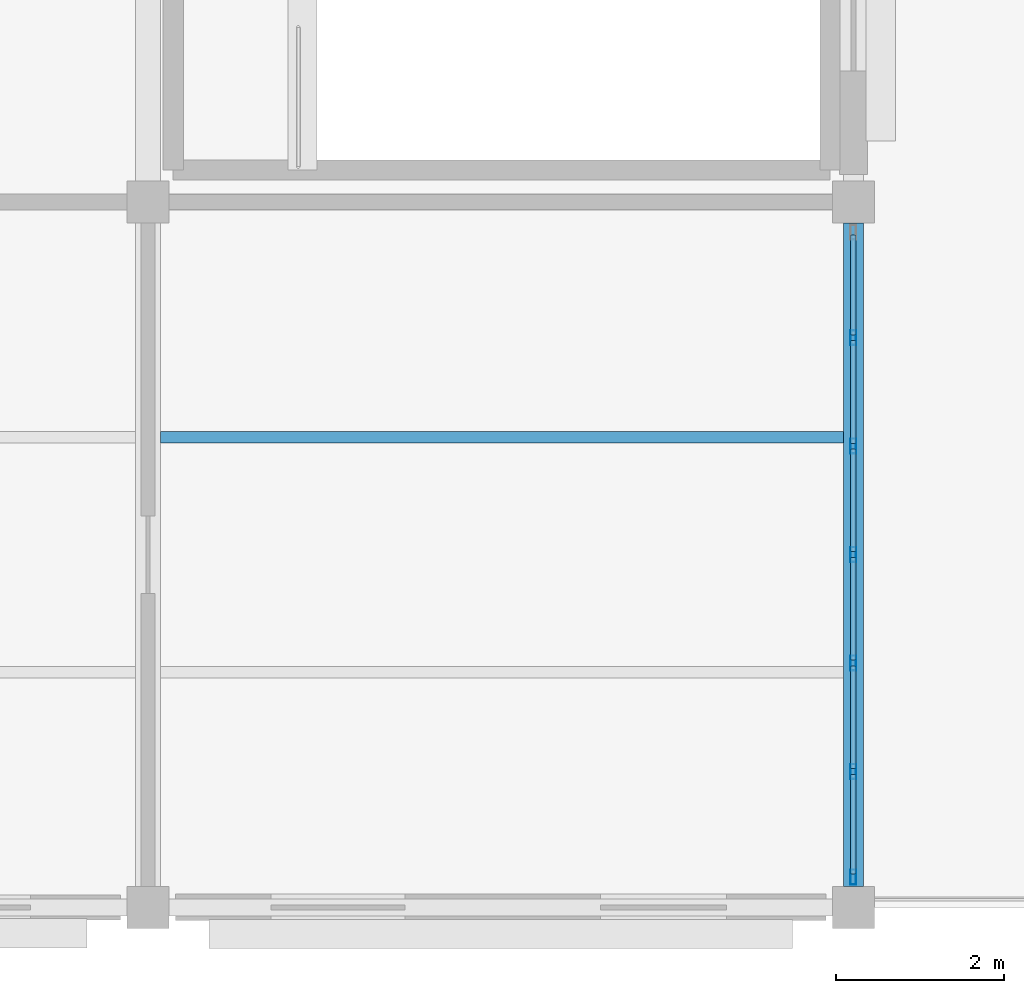
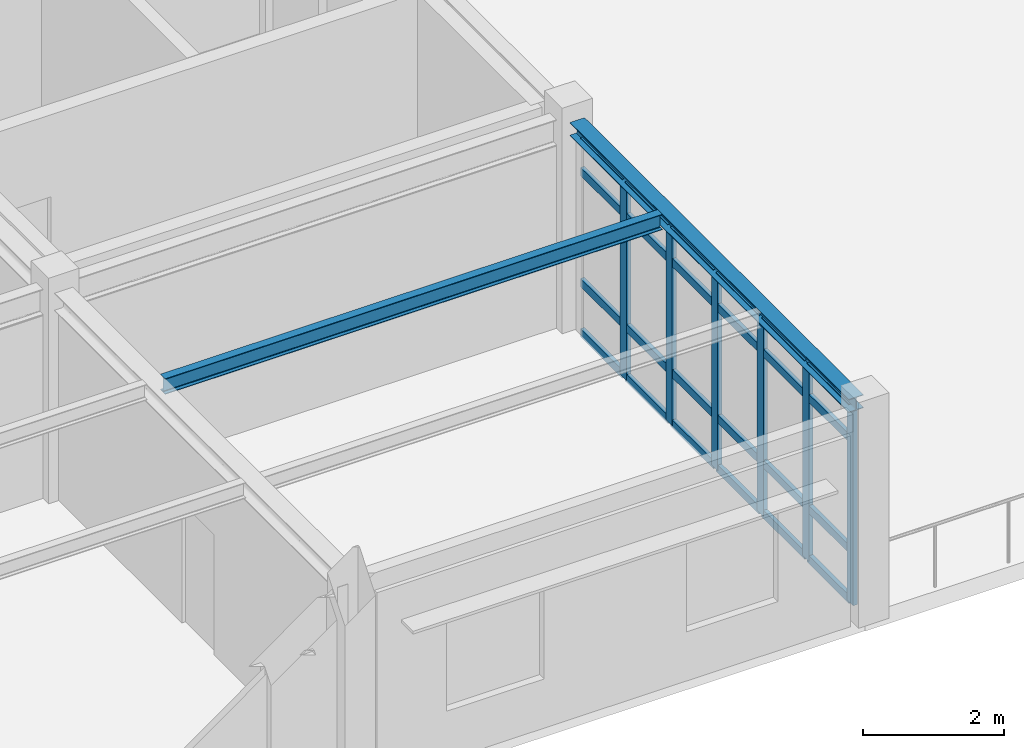
# One storey, part 10 of 70: 30 members, 2 beams, 1 element without a shape of its own.
"""IFC4 building model written with IfcOpenShell, lengths in metres."""

from ifc_helpers import new_model, si_unit, direction, frame, origin, origin_2d, place, context, subcontext, project, spatial, hollow_rectangle, i_section, extrude, material, layer, layer_set, material_profile, profile_set, type_object, element, aggregate, save


model = new_model("IFC4")

# Units and contexts
model_context = context("Model", 3, precision=1e-05, world=origin(), true_north=direction((0.0, 1.0)))
body_context = subcontext(model_context, "Body", "Model", "MODEL_VIEW")
ifc_project = project(units=[si_unit("LENGTHUNIT", "METRE"), si_unit("AREAUNIT", "SQUARE_METRE"), si_unit("VOLUMEUNIT", "CUBIC_METRE"), si_unit("PLANEANGLEUNIT", "RADIAN"), si_unit("MASSUNIT", "GRAM", prefix="KILO")], contexts=[model_context])

# Site, building, storey
site_placement = place(None, origin())
site = spatial("IfcSite", under=ifc_project, at=site_placement, CompositionType="ELEMENT")
building_placement = place(site_placement, origin())
building = spatial("IfcBuilding", under=site, at=building_placement, Name="Bramfleet General Hospital", CompositionType="ELEMENT")
storey_placement = place(building_placement, frame((0.0, 0.0, 22.5)))
storey = spatial("IfcBuildingStorey", under=building, at=storey_placement, Name="L05", CompositionType="ELEMENT", Elevation=22.5)

# Beams
ifc_material_1 = material(Name="Steel S355", Category="steel")
ifc_material_profile_1 = material_profile(ifc_material_1, i_section(OverallWidth=0.239990234375, OverallDepth=0.22998046875, WebThickness=0.007568359375, FlangeThickness=0.011962890625, FilletRadius=0.02099609375, at=origin_2d()), Name="HEA 240")
ifc_profile_set_1 = profile_set([ifc_material_profile_1], Name="Steel S355")
beam_type_1 = type_object("IfcBeamType", Name="BM-HEA240", PredefinedType="SPANDREL", material=ifc_profile_set_1)
beam_1_placement = place(storey_placement, frame((151.199951171875, 0.25, 3.4951171875), z_axis=(0.0, 1.0, 0.0), x_axis=(-1.0, 0.0, 0.0)))
element("IfcBeam", 1, at=beam_1_placement, inside=storey, type_object=beam_type_1, Name="L05 Grid Beam Y 18-00", PredefinedType="SPANDREL", context=body_context, shape_type="SweptSolid", body=[
    extrude(i_section(OverallWidth=0.239990234375, OverallDepth=0.22998046875, WebThickness=0.007568359375, FlangeThickness=0.011962890625, FilletRadius=0.02099609375, at=origin_2d()), origin(), (0.0, 0.0, 1.0), 7.89990234375),
])
ifc_material_profile_2 = material_profile(ifc_material_1, i_section(OverallWidth=0.135009765625, OverallDepth=0.27001953125, WebThickness=0.006591796875, FlangeThickness=0.01025390625, FilletRadius=0.014892578125, at=origin_2d()), Name="IPE 270")
ifc_profile_set_2 = profile_set([ifc_material_profile_2], Name="Steel S355")
beam_type_2 = type_object("IfcBeamType", Name="BM-IPE270", PredefinedType="JOIST", material=ifc_profile_set_2)
beam_2_placement = place(storey_placement, frame((142.949951171875, 5.60009765625, 3.47509765625), z_axis=(1.0, 0.0, 0.0), x_axis=(0.0, 1.0, 0.0)))
element("IfcBeam", 2, at=beam_2_placement, inside=storey, type_object=beam_type_2, Name="L05 Secondary Joist 17-00-2", PredefinedType="JOIST", context=body_context, shape_type="SweptSolid", body=[
    extrude(i_section(OverallWidth=0.135009765625, OverallDepth=0.27001953125, WebThickness=0.006591796875, FlangeThickness=0.01025390625, FilletRadius=0.014892578125, at=origin_2d()), origin(), (0.0, 0.0, 1.0), 8.130126953125),
])

# Curtain wall, members
ifc_material_2 = material(Name="Anodised aluminium and low-E triple glazing", Category="aluminium")
ifc_layer = layer(ifc_material_2, 0.179931640625, Name="CWT-CW-11")
ifc_layer_set = layer_set([ifc_layer], Name="Anodised aluminium and low-E triple glazing")
curtain_wall_type = type_object("IfcCurtainWallType", Name="CWT-CW-11", PredefinedType="USERDEFINED", material=ifc_layer_set)
curtain_wall_placement = place(storey_placement, origin())
curtain_wall = element("IfcCurtainWall", 3, at=curtain_wall_placement, inside=storey, type_object=curtain_wall_type, Name="L05 Curtain Wall 209", ObjectType="Stick curtain wall", PredefinedType="USERDEFINED")
ifc_material_3 = material(Name="Anodised aluminium EN AW-6060", Category="aluminium")
ifc_material_profile_3 = material_profile(ifc_material_3, hollow_rectangle(XDim=0.070068359375, YDim=0.179931640625, WallThickness=0.00390625, at=origin_2d()), Name="ALU 180x70x4.0")
ifc_profile_set_3 = profile_set([ifc_material_profile_3], Name="Anodised aluminium EN AW-6060")
member_type_1 = type_object("IfcMemberType", Name="CWM-ALU180", PredefinedType="MULLION", material=ifc_profile_set_3)
member_1_placement = place(storey_placement, frame((151.199951171875, 6.783447265625, 0.0), z_axis=(0.0, 0.0, 1.0), x_axis=(1.0, 0.0, 0.0)))
member_1 = element("IfcMember", 4, at=member_1_placement, type_object=member_type_1, Name="CW-11 mullion 2", PredefinedType="MULLION", context=body_context, shape_type="SweptSolid", body=[
    extrude(hollow_rectangle(XDim=0.070068359375, YDim=0.179931640625, WallThickness=0.00390625, at=origin_2d()), origin(), (0.0, 0.0, 1.0), 3.3701171875),
])
member_2_placement = place(storey_placement, frame((151.199951171875, 5.49169921875, 0.0), z_axis=(0.0, 0.0, 1.0), x_axis=(1.0, 0.0, 0.0)))
member_2 = element("IfcMember", 5, at=member_2_placement, type_object=member_type_1, Name="CW-11 mullion 3", PredefinedType="MULLION", context=body_context, shape_type="SweptSolid", body=[
    extrude(hollow_rectangle(XDim=0.070068359375, YDim=0.179931640625, WallThickness=0.00390625, at=origin_2d()), origin(), (0.0, 0.0, 1.0), 3.3701171875),
])
member_3_placement = place(storey_placement, frame((151.199951171875, 4.199951171875, 0.0), z_axis=(0.0, 0.0, 1.0), x_axis=(1.0, 0.0, 0.0)))
member_3 = element("IfcMember", 6, at=member_3_placement, type_object=member_type_1, Name="CW-11 mullion 4", PredefinedType="MULLION", context=body_context, shape_type="SweptSolid", body=[
    extrude(hollow_rectangle(XDim=0.070068359375, YDim=0.179931640625, WallThickness=0.00390625, at=origin_2d()), origin(), (0.0, 0.0, 1.0), 3.3701171875),
])
member_4_placement = place(storey_placement, frame((151.199951171875, 2.908447265625, 0.0), z_axis=(0.0, 0.0, 1.0), x_axis=(1.0, 0.0, 0.0)))
member_4 = element("IfcMember", 7, at=member_4_placement, type_object=member_type_1, Name="CW-11 mullion 5", PredefinedType="MULLION", context=body_context, shape_type="SweptSolid", body=[
    extrude(hollow_rectangle(XDim=0.070068359375, YDim=0.179931640625, WallThickness=0.00390625, at=origin_2d()), origin(), (0.0, 0.0, 1.0), 3.3701171875),
])
member_5_placement = place(storey_placement, frame((151.199951171875, 1.61669921875, 0.0), z_axis=(0.0, 0.0, 1.0), x_axis=(1.0, 0.0, 0.0)))
member_5 = element("IfcMember", 8, at=member_5_placement, type_object=member_type_1, Name="CW-11 mullion 6", PredefinedType="MULLION", context=body_context, shape_type="SweptSolid", body=[
    extrude(hollow_rectangle(XDim=0.070068359375, YDim=0.179931640625, WallThickness=0.00390625, at=origin_2d()), origin(), (0.0, 0.0, 1.0), 3.3701171875),
])
member_6_placement = place(storey_placement, frame((151.199951171875, 0.360107421875, 0.0), z_axis=(0.0, 0.0, 1.0), x_axis=(1.0, 0.0, 0.0)))
member_6 = element("IfcMember", 9, at=member_6_placement, type_object=member_type_1, Name="CW-11 mullion 7", PredefinedType="MULLION", context=body_context, shape_type="SweptSolid", body=[
    extrude(hollow_rectangle(XDim=0.070068359375, YDim=0.179931640625, WallThickness=0.00390625, at=origin_2d()), origin(), (0.0, 0.0, 1.0), 3.3701171875),
])
ifc_material_profile_4 = material_profile(ifc_material_3, hollow_rectangle(XDim=0.06494140625, YDim=0.139892578125, WallThickness=0.00390625, at=origin_2d()), Name="ALU 140x65x4.0")
ifc_profile_set_4 = profile_set([ifc_material_profile_4], Name="Anodised aluminium EN AW-6060")
member_type_2 = type_object("IfcMemberType", Name="CWT-ALU140", PredefinedType="USERDEFINED", material=ifc_profile_set_4)
member_7_placement = place(storey_placement, frame((151.199951171875, 8.0048828125, 0.032470703125), z_axis=(0.0, -1.0, 0.0), x_axis=(1.0, 0.0, 0.0)))
member_7 = element("IfcMember", 10, at=member_7_placement, type_object=member_type_2, Name="CW-11 transom 1.1", ObjectType="TRANSOM", PredefinedType="USERDEFINED", context=body_context, shape_type="SweptSolid", body=[
    extrude(hollow_rectangle(XDim=0.06494140625, YDim=0.139892578125, WallThickness=0.00390625, at=origin_2d()), origin(), (0.0, 0.0, 1.0), 1.1865234375),
])
member_8_placement = place(storey_placement, frame((151.199951171875, 8.0048828125, 0.89990234375), z_axis=(0.0, -1.0, 0.0), x_axis=(1.0, 0.0, 0.0)))
member_8 = element("IfcMember", 11, at=member_8_placement, type_object=member_type_2, Name="CW-11 transom 1.2", ObjectType="TRANSOM", PredefinedType="USERDEFINED", context=body_context, shape_type="SweptSolid", body=[
    extrude(hollow_rectangle(XDim=0.06494140625, YDim=0.139892578125, WallThickness=0.00390625, at=origin_2d()), origin(), (0.0, 0.0, 1.0), 1.1865234375),
])
member_9_placement = place(storey_placement, frame((151.199951171875, 8.0048828125, 2.820068359375), z_axis=(0.0, -1.0, 0.0), x_axis=(1.0, 0.0, 0.0)))
member_9 = element("IfcMember", 12, at=member_9_placement, type_object=member_type_2, Name="CW-11 transom 1.3", ObjectType="TRANSOM", PredefinedType="USERDEFINED", context=body_context, shape_type="SweptSolid", body=[
    extrude(hollow_rectangle(XDim=0.06494140625, YDim=0.139892578125, WallThickness=0.00390625, at=origin_2d()), origin(), (0.0, 0.0, 1.0), 1.1865234375),
])
member_10_placement = place(storey_placement, frame((151.199951171875, 8.0048828125, 3.33740234375), z_axis=(0.0, -1.0, 0.0), x_axis=(1.0, 0.0, 0.0)))
member_10 = element("IfcMember", 13, at=member_10_placement, type_object=member_type_2, Name="CW-11 transom 1.4", ObjectType="TRANSOM", PredefinedType="USERDEFINED", context=body_context, shape_type="SweptSolid", body=[
    extrude(hollow_rectangle(XDim=0.06494140625, YDim=0.139892578125, WallThickness=0.00390625, at=origin_2d()), origin(), (0.0, 0.0, 1.0), 1.1865234375),
])
member_11_placement = place(storey_placement, frame((151.199951171875, 6.748291015625, 0.032470703125), z_axis=(0.0, -1.0, 0.0), x_axis=(1.0, 0.0, 0.0)))
member_11 = element("IfcMember", 14, at=member_11_placement, type_object=member_type_2, Name="CW-11 transom 2.1", ObjectType="TRANSOM", PredefinedType="USERDEFINED", context=body_context, shape_type="SweptSolid", body=[
    extrude(hollow_rectangle(XDim=0.06494140625, YDim=0.139892578125, WallThickness=0.00390625, at=origin_2d()), origin(), (0.0, 0.0, 1.0), 1.2216796875),
])
member_12_placement = place(storey_placement, frame((151.199951171875, 6.748291015625, 0.89990234375), z_axis=(0.0, -1.0, 0.0), x_axis=(1.0, 0.0, 0.0)))
member_12 = element("IfcMember", 15, at=member_12_placement, type_object=member_type_2, Name="CW-11 transom 2.2", ObjectType="TRANSOM", PredefinedType="USERDEFINED", context=body_context, shape_type="SweptSolid", body=[
    extrude(hollow_rectangle(XDim=0.06494140625, YDim=0.139892578125, WallThickness=0.00390625, at=origin_2d()), origin(), (0.0, 0.0, 1.0), 1.2216796875),
])
member_13_placement = place(storey_placement, frame((151.199951171875, 6.748291015625, 2.820068359375), z_axis=(0.0, -1.0, 0.0), x_axis=(1.0, 0.0, 0.0)))
member_13 = element("IfcMember", 16, at=member_13_placement, type_object=member_type_2, Name="CW-11 transom 2.3", ObjectType="TRANSOM", PredefinedType="USERDEFINED", context=body_context, shape_type="SweptSolid", body=[
    extrude(hollow_rectangle(XDim=0.06494140625, YDim=0.139892578125, WallThickness=0.00390625, at=origin_2d()), origin(), (0.0, 0.0, 1.0), 1.2216796875),
])
member_14_placement = place(storey_placement, frame((151.199951171875, 6.748291015625, 3.33740234375), z_axis=(0.0, -1.0, 0.0), x_axis=(1.0, 0.0, 0.0)))
member_14 = element("IfcMember", 17, at=member_14_placement, type_object=member_type_2, Name="CW-11 transom 2.4", ObjectType="TRANSOM", PredefinedType="USERDEFINED", context=body_context, shape_type="SweptSolid", body=[
    extrude(hollow_rectangle(XDim=0.06494140625, YDim=0.139892578125, WallThickness=0.00390625, at=origin_2d()), origin(), (0.0, 0.0, 1.0), 1.2216796875),
])
member_15_placement = place(storey_placement, frame((151.199951171875, 5.456787109375, 0.032470703125), z_axis=(0.0, -1.0, 0.0), x_axis=(1.0, 0.0, 0.0)))
member_15 = element("IfcMember", 18, at=member_15_placement, type_object=member_type_2, Name="CW-11 transom 3.1", ObjectType="TRANSOM", PredefinedType="USERDEFINED", context=body_context, shape_type="SweptSolid", body=[
    extrude(hollow_rectangle(XDim=0.06494140625, YDim=0.139892578125, WallThickness=0.00390625, at=origin_2d()), origin(), (0.0, 0.0, 1.0), 1.2216796875),
])
member_16_placement = place(storey_placement, frame((151.199951171875, 5.456787109375, 0.89990234375), z_axis=(0.0, -1.0, 0.0), x_axis=(1.0, 0.0, 0.0)))
member_16 = element("IfcMember", 19, at=member_16_placement, type_object=member_type_2, Name="CW-11 transom 3.2", ObjectType="TRANSOM", PredefinedType="USERDEFINED", context=body_context, shape_type="SweptSolid", body=[
    extrude(hollow_rectangle(XDim=0.06494140625, YDim=0.139892578125, WallThickness=0.00390625, at=origin_2d()), origin(), (0.0, 0.0, 1.0), 1.2216796875),
])
member_17_placement = place(storey_placement, frame((151.199951171875, 5.456787109375, 2.820068359375), z_axis=(0.0, -1.0, 0.0), x_axis=(1.0, 0.0, 0.0)))
member_17 = element("IfcMember", 20, at=member_17_placement, type_object=member_type_2, Name="CW-11 transom 3.3", ObjectType="TRANSOM", PredefinedType="USERDEFINED", context=body_context, shape_type="SweptSolid", body=[
    extrude(hollow_rectangle(XDim=0.06494140625, YDim=0.139892578125, WallThickness=0.00390625, at=origin_2d()), origin(), (0.0, 0.0, 1.0), 1.2216796875),
])
member_18_placement = place(storey_placement, frame((151.199951171875, 5.456787109375, 3.33740234375), z_axis=(0.0, -1.0, 0.0), x_axis=(1.0, 0.0, 0.0)))
member_18 = element("IfcMember", 21, at=member_18_placement, type_object=member_type_2, Name="CW-11 transom 3.4", ObjectType="TRANSOM", PredefinedType="USERDEFINED", context=body_context, shape_type="SweptSolid", body=[
    extrude(hollow_rectangle(XDim=0.06494140625, YDim=0.139892578125, WallThickness=0.00390625, at=origin_2d()), origin(), (0.0, 0.0, 1.0), 1.2216796875),
])
member_19_placement = place(storey_placement, frame((151.199951171875, 4.1650390625, 0.032470703125), z_axis=(0.0, -1.0, 0.0), x_axis=(1.0, 0.0, 0.0)))
member_19 = element("IfcMember", 22, at=member_19_placement, type_object=member_type_2, Name="CW-11 transom 4.1", ObjectType="TRANSOM", PredefinedType="USERDEFINED", context=body_context, shape_type="SweptSolid", body=[
    extrude(hollow_rectangle(XDim=0.06494140625, YDim=0.139892578125, WallThickness=0.00390625, at=origin_2d()), origin(), (0.0, 0.0, 1.0), 1.2216796875),
])
member_20_placement = place(storey_placement, frame((151.199951171875, 4.1650390625, 0.89990234375), z_axis=(0.0, -1.0, 0.0), x_axis=(1.0, 0.0, 0.0)))
member_20 = element("IfcMember", 23, at=member_20_placement, type_object=member_type_2, Name="CW-11 transom 4.2", ObjectType="TRANSOM", PredefinedType="USERDEFINED", context=body_context, shape_type="SweptSolid", body=[
    extrude(hollow_rectangle(XDim=0.06494140625, YDim=0.139892578125, WallThickness=0.00390625, at=origin_2d()), origin(), (0.0, 0.0, 1.0), 1.2216796875),
])
member_21_placement = place(storey_placement, frame((151.199951171875, 4.1650390625, 2.820068359375), z_axis=(0.0, -1.0, 0.0), x_axis=(1.0, 0.0, 0.0)))
member_21 = element("IfcMember", 24, at=member_21_placement, type_object=member_type_2, Name="CW-11 transom 4.3", ObjectType="TRANSOM", PredefinedType="USERDEFINED", context=body_context, shape_type="SweptSolid", body=[
    extrude(hollow_rectangle(XDim=0.06494140625, YDim=0.139892578125, WallThickness=0.00390625, at=origin_2d()), origin(), (0.0, 0.0, 1.0), 1.2216796875),
])
member_22_placement = place(storey_placement, frame((151.199951171875, 4.1650390625, 3.33740234375), z_axis=(0.0, -1.0, 0.0), x_axis=(1.0, 0.0, 0.0)))
member_22 = element("IfcMember", 25, at=member_22_placement, type_object=member_type_2, Name="CW-11 transom 4.4", ObjectType="TRANSOM", PredefinedType="USERDEFINED", context=body_context, shape_type="SweptSolid", body=[
    extrude(hollow_rectangle(XDim=0.06494140625, YDim=0.139892578125, WallThickness=0.00390625, at=origin_2d()), origin(), (0.0, 0.0, 1.0), 1.2216796875),
])
member_23_placement = place(storey_placement, frame((151.199951171875, 2.873291015625, 0.032470703125), z_axis=(0.0, -1.0, 0.0), x_axis=(1.0, 0.0, 0.0)))
member_23 = element("IfcMember", 26, at=member_23_placement, type_object=member_type_2, Name="CW-11 transom 5.1", ObjectType="TRANSOM", PredefinedType="USERDEFINED", context=body_context, shape_type="SweptSolid", body=[
    extrude(hollow_rectangle(XDim=0.06494140625, YDim=0.139892578125, WallThickness=0.00390625, at=origin_2d()), origin(), (0.0, 0.0, 1.0), 1.2216796875),
])
member_24_placement = place(storey_placement, frame((151.199951171875, 2.873291015625, 0.89990234375), z_axis=(0.0, -1.0, 0.0), x_axis=(1.0, 0.0, 0.0)))
member_24 = element("IfcMember", 27, at=member_24_placement, type_object=member_type_2, Name="CW-11 transom 5.2", ObjectType="TRANSOM", PredefinedType="USERDEFINED", context=body_context, shape_type="SweptSolid", body=[
    extrude(hollow_rectangle(XDim=0.06494140625, YDim=0.139892578125, WallThickness=0.00390625, at=origin_2d()), origin(), (0.0, 0.0, 1.0), 1.2216796875),
])
member_25_placement = place(storey_placement, frame((151.199951171875, 2.873291015625, 2.820068359375), z_axis=(0.0, -1.0, 0.0), x_axis=(1.0, 0.0, 0.0)))
member_25 = element("IfcMember", 28, at=member_25_placement, type_object=member_type_2, Name="CW-11 transom 5.3", ObjectType="TRANSOM", PredefinedType="USERDEFINED", context=body_context, shape_type="SweptSolid", body=[
    extrude(hollow_rectangle(XDim=0.06494140625, YDim=0.139892578125, WallThickness=0.00390625, at=origin_2d()), origin(), (0.0, 0.0, 1.0), 1.2216796875),
])
member_26_placement = place(storey_placement, frame((151.199951171875, 2.873291015625, 3.33740234375), z_axis=(0.0, -1.0, 0.0), x_axis=(1.0, 0.0, 0.0)))
member_26 = element("IfcMember", 29, at=member_26_placement, type_object=member_type_2, Name="CW-11 transom 5.4", ObjectType="TRANSOM", PredefinedType="USERDEFINED", context=body_context, shape_type="SweptSolid", body=[
    extrude(hollow_rectangle(XDim=0.06494140625, YDim=0.139892578125, WallThickness=0.00390625, at=origin_2d()), origin(), (0.0, 0.0, 1.0), 1.2216796875),
])
member_27_placement = place(storey_placement, frame((151.199951171875, 1.581787109375, 0.032470703125), z_axis=(0.0, -1.0, 0.0), x_axis=(1.0, 0.0, 0.0)))
member_27 = element("IfcMember", 30, at=member_27_placement, type_object=member_type_2, Name="CW-11 transom 6.1", ObjectType="TRANSOM", PredefinedType="USERDEFINED", context=body_context, shape_type="SweptSolid", body=[
    extrude(hollow_rectangle(XDim=0.06494140625, YDim=0.139892578125, WallThickness=0.00390625, at=origin_2d()), origin(), (0.0, 0.0, 1.0), 1.186767578125),
])
member_28_placement = place(storey_placement, frame((151.199951171875, 1.581787109375, 0.89990234375), z_axis=(0.0, -1.0, 0.0), x_axis=(1.0, 0.0, 0.0)))
member_28 = element("IfcMember", 31, at=member_28_placement, type_object=member_type_2, Name="CW-11 transom 6.2", ObjectType="TRANSOM", PredefinedType="USERDEFINED", context=body_context, shape_type="SweptSolid", body=[
    extrude(hollow_rectangle(XDim=0.06494140625, YDim=0.139892578125, WallThickness=0.00390625, at=origin_2d()), origin(), (0.0, 0.0, 1.0), 1.186767578125),
])
member_29_placement = place(storey_placement, frame((151.199951171875, 1.581787109375, 2.820068359375), z_axis=(0.0, -1.0, 0.0), x_axis=(1.0, 0.0, 0.0)))
member_29 = element("IfcMember", 32, at=member_29_placement, type_object=member_type_2, Name="CW-11 transom 6.3", ObjectType="TRANSOM", PredefinedType="USERDEFINED", context=body_context, shape_type="SweptSolid", body=[
    extrude(hollow_rectangle(XDim=0.06494140625, YDim=0.139892578125, WallThickness=0.00390625, at=origin_2d()), origin(), (0.0, 0.0, 1.0), 1.186767578125),
])
member_30_placement = place(storey_placement, frame((151.199951171875, 1.581787109375, 3.33740234375), z_axis=(0.0, -1.0, 0.0), x_axis=(1.0, 0.0, 0.0)))
member_30 = element("IfcMember", 33, at=member_30_placement, type_object=member_type_2, Name="CW-11 transom 6.4", ObjectType="TRANSOM", PredefinedType="USERDEFINED", context=body_context, shape_type="SweptSolid", body=[
    extrude(hollow_rectangle(XDim=0.06494140625, YDim=0.139892578125, WallThickness=0.00390625, at=origin_2d()), origin(), (0.0, 0.0, 1.0), 1.186767578125),
])
aggregate(curtain_wall, [member_1, member_2, member_3, member_4, member_5, member_6, member_7, member_8, member_9, member_10, member_11, member_12, member_13, member_14, member_15, member_16, member_17, member_18, member_19, member_20, member_21, member_22, member_23, member_24, member_25, member_26, member_27, member_28, member_29, member_30])

save(model, "model.ifc")
